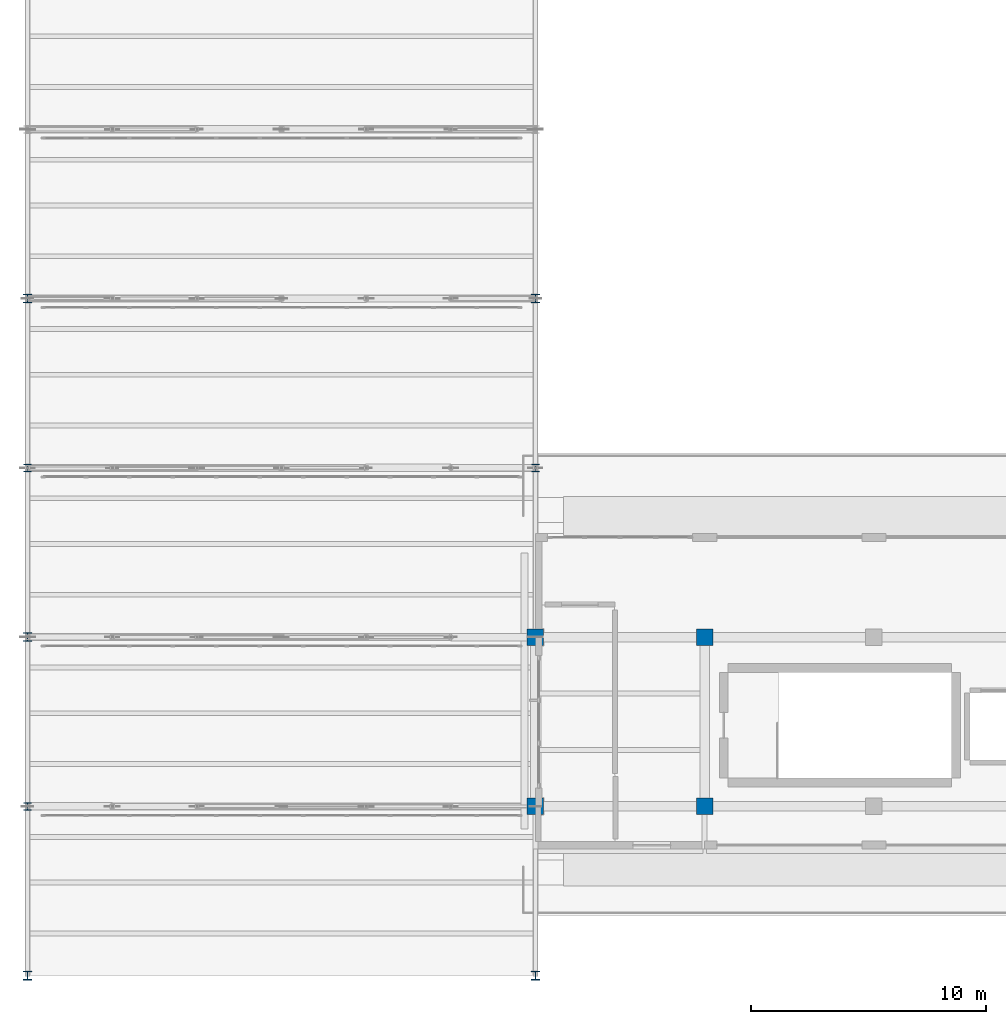
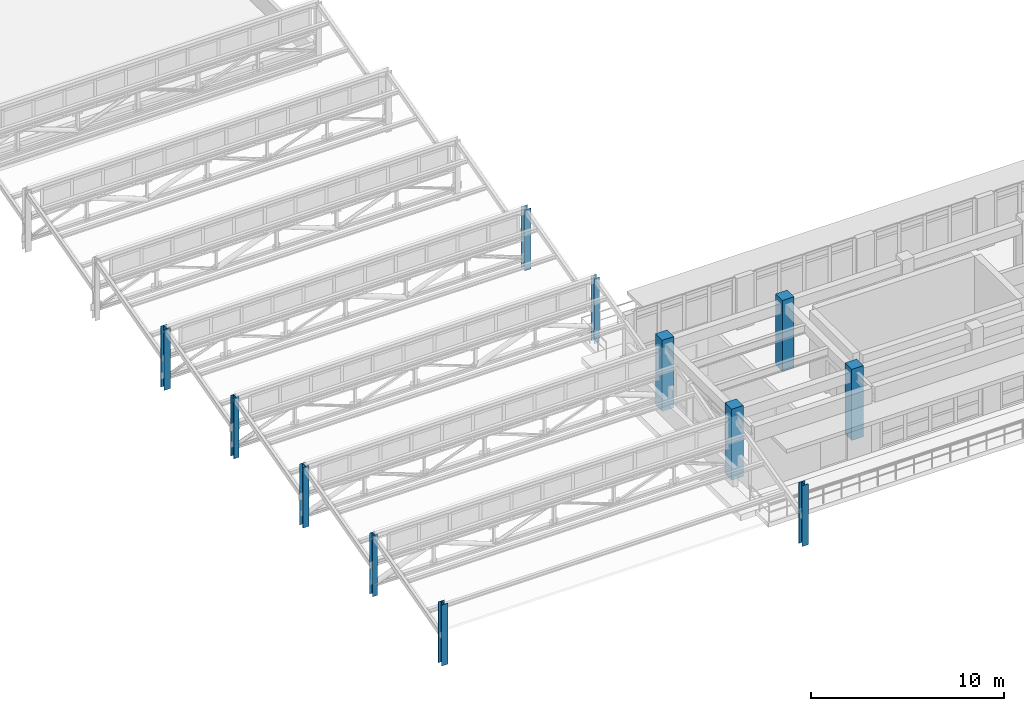
# One storey, part 1 of 55: 12 columns.
"""IFC4 building model written with IfcOpenShell, lengths in metres."""

from ifc_helpers import new_model, si_unit, direction, frame, origin, origin_2d, place, context, subcontext, project, spatial, rectangle, i_section, extrude, material, material_profile, profile_set, type_object, element, save


model = new_model("IFC4")

# Units and contexts
model_context = context("Model", 3, precision=1e-05, world=origin(), true_north=direction((0.0, 1.0)))
body_context = subcontext(model_context, "Body", "Model", "MODEL_VIEW")
ifc_project = project(units=[si_unit("LENGTHUNIT", "METRE"), si_unit("AREAUNIT", "SQUARE_METRE"), si_unit("VOLUMEUNIT", "CUBIC_METRE"), si_unit("PLANEANGLEUNIT", "RADIAN"), si_unit("MASSUNIT", "GRAM", prefix="KILO")], contexts=[model_context])

# Site, building, storey
site_placement = place(None, origin())
site = spatial("IfcSite", under=ifc_project, at=site_placement, CompositionType="ELEMENT")
building_placement = place(site_placement, origin())
building = spatial("IfcBuilding", under=site, at=building_placement, Name="Solenvale Faculty of Natural Sciences", CompositionType="ELEMENT")
storey_placement = place(building_placement, frame((0.0, 0.0, 22.5)))
storey = spatial("IfcBuildingStorey", under=building, at=storey_placement, Name="L05", CompositionType="ELEMENT", Elevation=22.5)

# Columns
ifc_material_1 = material(Name="Concrete 40 MPa", Category="concrete")
ifc_material_profile_1 = material_profile(ifc_material_1, rectangle(XDim=0.699951171875, YDim=0.699951171875, at=origin_2d()), Name="RC-COL-700x700")
ifc_profile_set_1 = profile_set([ifc_material_profile_1], Name="Concrete 40 MPa")
column_type_1 = type_object("IfcColumnType", Name="COL-RC-700", PredefinedType="COLUMN", material=ifc_profile_set_1)
for number, where, z_axis, x_axis, name in (
    (1, (57.60009765625, 21.60009765625, 0.0), (0.0, 0.0, 1.0), (1.0, 0.0, 0.0), "L05 Column (57.6, 21.6)"),
    (2, (57.60009765625, 28.800048828125, 0.0), (0.0, 0.0, 1.0), (1.0, 0.0, 0.0), "L05 Column (57.6, 28.8)"),
    (3, (64.800048828125, 21.60009765625, 0.0), (0.0, 0.0, 1.0), (1.0, 0.0, 0.0), "L05 Column (64.8, 21.6)"),
    (4, (64.800048828125, 28.800048828125, 0.0), (0.0, 0.0, 1.0), (1.0, 0.0, 0.0), "L05 Column (64.8, 28.8)"),
):
    element("IfcColumn", number, at=place(storey_placement, frame(where, z_axis=z_axis, x_axis=x_axis)), inside=storey, type_object=column_type_1, Name=name, PredefinedType="COLUMN", context=body_context, shape_type="SweptSolid", body=[
        extrude(rectangle(XDim=0.699951171875, YDim=0.699951171875, at=origin_2d()), origin(), (0.0, 0.0, 1.0), 4.5),
    ])
ifc_material_2 = material(Name="Steel S355", Category="steel")
ifc_material_profile_2 = material_profile(ifc_material_2, i_section(OverallWidth=0.30810546875, OverallDepth=0.318115234375, WebThickness=0.01318359375, FlangeThickness=0.0205078125, FilletRadius=0.014892578125, at=origin_2d()), Name="W310x129")
ifc_profile_set_2 = profile_set([ifc_material_profile_2], Name="Steel S355")
column_type_2 = type_object("IfcColumnType", Name="COL-STL-W310x129", PredefinedType="COLUMN", material=ifc_profile_set_2)
for number, where, z_axis, x_axis, name in (
    (5, (36.0, 21.60009765625, 0.0), (0.0, 0.0, 1.0), (1.0, 0.0, 0.0), "V3 Sawtooth Monitor Column 2 X36"),
    (6, (36.0, 36.0, 0.0), (0.0, 0.0, 1.0), (1.0, 0.0, 0.0), "V3 Sawtooth Monitor Column 4 X36"),
):
    element("IfcColumn", number, at=place(storey_placement, frame(where, z_axis=z_axis, x_axis=x_axis)), inside=storey, type_object=column_type_2, Name=name, PredefinedType="COLUMN", context=body_context, shape_type="SweptSolid", body=[
        extrude(i_section(OverallWidth=0.30810546875, OverallDepth=0.318115234375, WebThickness=0.01318359375, FlangeThickness=0.0205078125, FilletRadius=0.014892578125, at=origin_2d()), origin(), (0.0, 0.0, 1.0), 3.860107421875),
    ])
column_placement = place(storey_placement, frame((57.60009765625, 36.0, -0.280029296875), z_axis=(0.0, 0.0, 1.0), x_axis=(1.0, 0.0, 0.0)))
element("IfcColumn", 7, at=column_placement, inside=storey, type_object=column_type_2, Name="V3 Sawtooth Monitor Column 4 X58", PredefinedType="COLUMN", context=body_context, shape_type="SweptSolid", body=[
    extrude(i_section(OverallWidth=0.30810546875, OverallDepth=0.318115234375, WebThickness=0.01318359375, FlangeThickness=0.0205078125, FilletRadius=0.014892578125, at=origin_2d()), origin(), (0.0, 0.0, 1.0), 4.14013671875),
])
ifc_material_profile_3 = material_profile(ifc_material_2, i_section(OverallWidth=0.37109375, OverallDepth=0.364013671875, WebThickness=0.01318359375, FlangeThickness=0.021728515625, FilletRadius=0.02197265625, at=origin_2d()), Name="W360x162")
ifc_profile_set_3 = profile_set([ifc_material_profile_3], Name="Steel S355")
column_type_3 = type_object("IfcColumnType", Name="COL-STL-W360x162", PredefinedType="COLUMN", material=ifc_profile_set_3)
for number, where, z_axis, x_axis, name in (
    (8, (36.0, 14.39990234375, 0.0), (0.0, 0.0, 1.0), (1.0, 0.0, 0.0), "V3 Sawtooth Monitor Column 1 X36"),
    (9, (57.60009765625, 14.39990234375, 0.0), (0.0, 0.0, 1.0), (1.0, 0.0, 0.0), "V3 Sawtooth Monitor Column 1 X58"),
    (10, (36.0, 28.800048828125, 0.0), (0.0, 0.0, 1.0), (1.0, 0.0, 0.0), "V3 Sawtooth Monitor Column 3 X36"),
    (11, (36.0, 43.199951171875, 0.0), (0.0, 0.0, 1.0), (1.0, 0.0, 0.0), "V3 Sawtooth Monitor Column 5 X36"),
    (12, (57.60009765625, 43.199951171875, 0.0), (0.0, 0.0, 1.0), (1.0, 0.0, 0.0), "V3 Sawtooth Monitor Column 5 X58"),
):
    element("IfcColumn", number, at=place(storey_placement, frame(where, z_axis=z_axis, x_axis=x_axis)), inside=storey, type_object=column_type_3, Name=name, PredefinedType="COLUMN", context=body_context, shape_type="SweptSolid", body=[
        extrude(i_section(OverallWidth=0.37109375, OverallDepth=0.364013671875, WebThickness=0.01318359375, FlangeThickness=0.021728515625, FilletRadius=0.02197265625, at=origin_2d()), origin(), (0.0, 0.0, 1.0), 3.860107421875),
    ])

save(model, "model.ifc")
